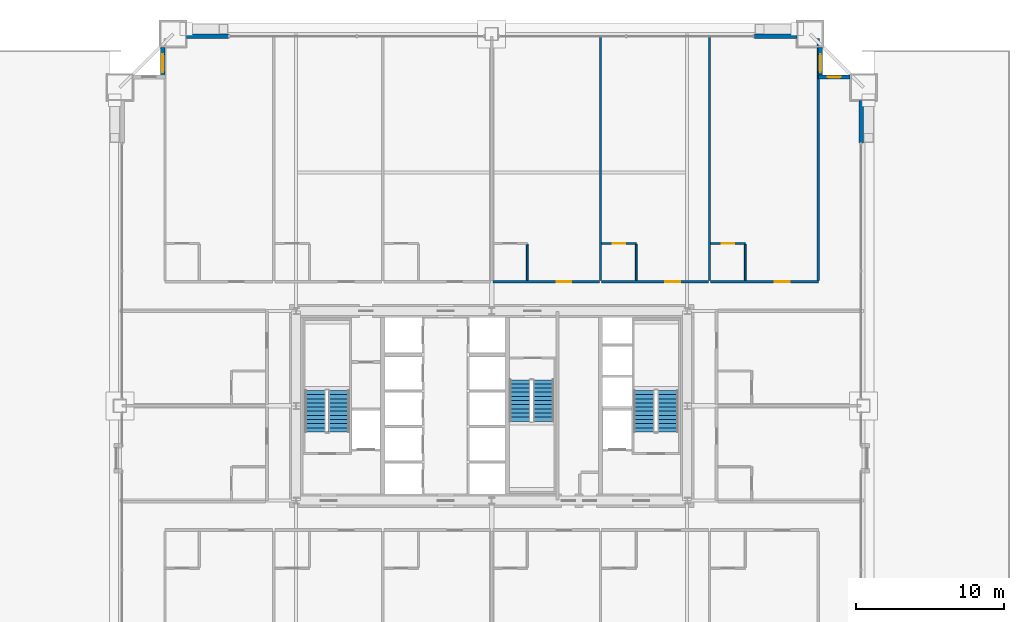
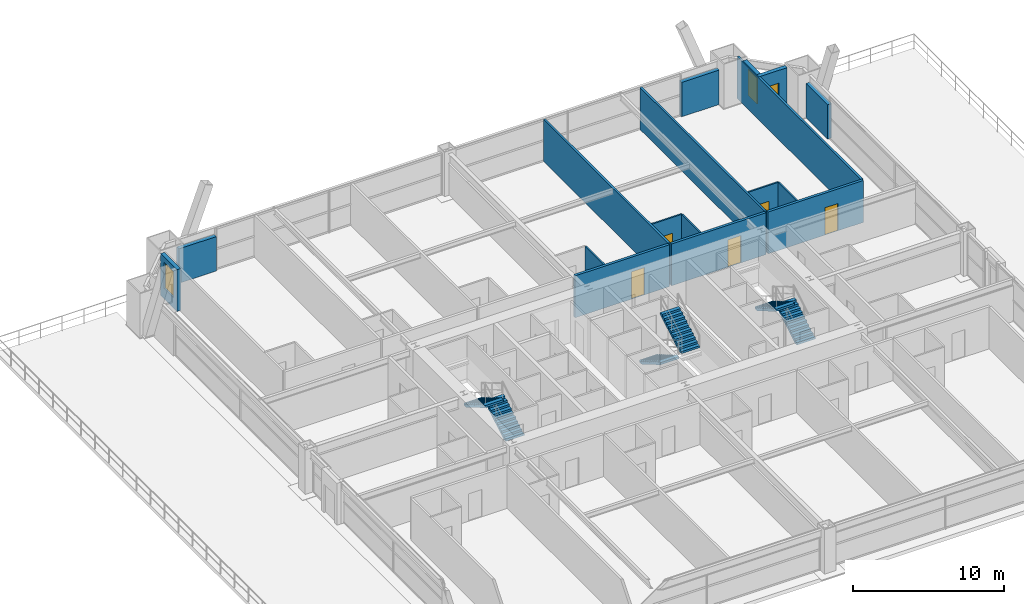
# One storey, part 42 of 45: 17 walls, 6 stair flights, 5 doors, 3 windows, 8 openings, 3 elements without a shape of their own.
"""IFC4 building model written with IfcOpenShell, lengths in metres."""

from ifc_helpers import new_model, si_unit, direction, frame, frame_2d, origin, place, context, subcontext, project, spatial, polyline, rectangle, outline, extrude, source, transform, mapped, material, layer, layer_set, type_object, element, fill, aggregate, save


model = new_model("IFC4")

# Units and contexts
model_context = context("Model", 3, precision=1e-05, world=origin(), true_north=direction((0.0, 1.0)))
body_context = subcontext(model_context, "Body", "Model", "MODEL_VIEW")
ifc_project = project(units=[si_unit("LENGTHUNIT", "METRE"), si_unit("AREAUNIT", "SQUARE_METRE"), si_unit("VOLUMEUNIT", "CUBIC_METRE"), si_unit("PLANEANGLEUNIT", "RADIAN"), si_unit("MASSUNIT", "GRAM", prefix="KILO"), si_unit("THERMODYNAMICTEMPERATUREUNIT", "KELVIN"), si_unit("POWERUNIT", "WATT")], contexts=[model_context])

# Site, building, storey
site_placement = place(None, origin())
site = spatial("IfcSite", under=ifc_project, at=site_placement, CompositionType="ELEMENT")
building_placement = place(site_placement, origin())
building = spatial("IfcBuilding", under=site, at=building_placement, Name="Yuzanri Waterfront Tower", CompositionType="ELEMENT")
storey_placement = place(building_placement, frame((0.0, 0.0, 30.60009765625)))
storey = spatial("IfcBuildingStorey", under=building, at=storey_placement, Name="L07", CompositionType="ELEMENT", Elevation=30.60009765625)

# Wall, opening, door
ifc_material_1 = material(Name="Moisture-Resistant Gypsum Stud Wall", Category="gypsum")
ifc_layer_1 = layer(ifc_material_1, 0.1201171875)
ifc_layer_set_1 = layer_set([ifc_layer_1], Name="Moisture-Resistant Gypsum Stud Wall")
wall_type_1 = type_object("IfcWallType", Name="Bathroom and Kitchen Wet Partition 120", PredefinedType="PARTITIONING", material=ifc_layer_set_1)
wall_1_placement = place(storey_placement, frame((44.43310546875, 36.760009765625, 0.0), z_axis=(0.0, 0.0, 1.0), x_axis=(1.0, 0.0, 0.0)))
wall_1 = element("IfcWall", 1, at=wall_1_placement, inside=storey, type_object=wall_type_1, Name="L07 Partition UW-L07-N5-BN", PredefinedType="PARTITIONING", context=body_context, shape_type="SweptSolid", body=[
    extrude(rectangle(XDim=2.329833984375, YDim=0.1201171875, at=frame_2d((1.1650390625, 0.0))), origin(), (0.0, 0.0, 1.0), 3.3798828125),
])
opening_1_placement = place(wall_1_placement, frame((0.739990234375, 0.0, 0.0)))
opening_1 = element("IfcOpeningElement", 2, at=opening_1_placement, cuts=wall_1, Name="Opening ID-0850", PredefinedType="OPENING", context=body_context, shape_type="SweptSolid", body=[
    extrude(rectangle(XDim=0.85009765625, YDim=2.10009765625, at=frame_2d((0.425048828125, 1.050048828125))), frame((0.0, 0.074951171875, 0.0), z_axis=(0.0, -1.0, 0.0), x_axis=(1.0, 0.0, 0.0)), (0.0, 0.0, 1.0), 0.14990234375),
])
ifc_material_2 = material(Name="Moisture-Resistant Lacquered Timber", Category="wood")
door_type_1 = type_object("IfcDoorType", Name="En-Suite Bathroom and Kitchen Swing Door 850x2100", OperationType="NOTDEFINED", PredefinedType="DOOR", material=ifc_material_2)
shared_shape_1 = source(origin(), body_context, "Body", "SweptSolid", [
    extrude(rectangle(XDim=0.85009765625, YDim=2.10009765625, at=frame_2d((0.425048828125, 1.050048828125))), frame((0.0, 0.02490234375, 0.0), z_axis=(0.0, -1.0, 0.0), x_axis=(1.0, 0.0, 0.0)), (0.0, 0.0, 1.0), 0.050048828125),
])
door_1_placement = place(opening_1_placement, origin())
door_1 = element("IfcDoor", 3, at=door_1_placement, inside=storey, type_object=door_type_1, Name="L07 Guest En-Suite Door", OperationType="SINGLE_SWING_LEFT", OverallHeight=2.10009765625, OverallWidth=0.85009765625, PredefinedType="DOOR", context=body_context, shape_type="MappedRepresentation", body=[
    mapped(shared_shape_1, transform((0.0, 0.0, 0.0), scale=1.0)),
])
fill(opening_1, door_1)

wall_2_placement = place(storey_placement, frame((51.787109375, 36.760009765625, 0.0), z_axis=(0.0, 0.0, 1.0), x_axis=(1.0, 0.0, 0.0)))
wall_2 = element("IfcWall", 4, at=wall_2_placement, inside=storey, type_object=wall_type_1, Name="L07 Partition UW-L07-N6-BN", PredefinedType="PARTITIONING", context=body_context, shape_type="SweptSolid", body=[
    extrude(rectangle(XDim=2.329833984375, YDim=0.1201171875, at=frame_2d((1.1650390625, 0.0))), origin(), (0.0, 0.0, 1.0), 3.3798828125),
])
opening_2_placement = place(wall_2_placement, frame((0.739990234375, 0.0, 0.0)))
opening_2 = element("IfcOpeningElement", 5, at=opening_2_placement, cuts=wall_2, Name="Opening ID-0850", PredefinedType="OPENING", context=body_context, shape_type="SweptSolid", body=[
    extrude(rectangle(XDim=0.85009765625, YDim=2.10009765625, at=frame_2d((0.425048828125, 1.050048828125))), frame((0.0, 0.074951171875, 0.0), z_axis=(0.0, -1.0, 0.0), x_axis=(1.0, 0.0, 0.0)), (0.0, 0.0, 1.0), 0.14990234375),
])
door_2_placement = place(opening_2_placement, origin())
door_2 = element("IfcDoor", 6, at=door_2_placement, inside=storey, type_object=door_type_1, Name="L07 Guest En-Suite Door", OperationType="SINGLE_SWING_LEFT", OverallHeight=2.10009765625, OverallWidth=0.85009765625, PredefinedType="DOOR", context=body_context, shape_type="MappedRepresentation", body=[
    mapped(shared_shape_1, transform((0.0, 0.0, 0.0), scale=1.0)),
])
fill(opening_2, door_2)

# Wall, opening, window
ifc_material_3 = material(Name="Honed Chongqing Dark Basalt Stone", Category="masonry")
ifc_layer_2 = layer(ifc_material_3, 0.300048828125)
ifc_layer_set_2 = layer_set([ifc_layer_2], Name="Honed Chongqing Dark Basalt Stone")
wall_type_2 = type_object("IfcWallType", Name="Bronze Rainscreen Insulated Spandrel Portal Wall 300", PredefinedType="SOLIDWALL", material=ifc_layer_set_2)
wall_3_placement = place(storey_placement, frame((14.800048828125, 50.0, 0.0), z_axis=(0.0, 0.0, 1.0), x_axis=(0.0, -1.0, 0.0)))
wall_3 = element("IfcWall", 7, at=wall_3_placement, inside=storey, type_object=wall_type_2, Name="L07 Notched Corner Masonry Wall NW-Y", PredefinedType="SOLIDWALL", context=body_context, shape_type="SweptSolid", body=[
    extrude(rectangle(XDim=2.14990234375, YDim=0.300048828125, at=frame_2d((1.074951171875, 0.0))), origin(), (0.0, 0.0, 1.0), 3.3798828125),
])
opening_3_placement = place(wall_3_placement, frame((0.47509765625, 0.0, 0.85009765625)))
opening_3 = element("IfcOpeningElement", 8, at=opening_3_placement, cuts=wall_3, Name="Opening WN-02", PredefinedType="OPENING", context=body_context, shape_type="SweptSolid", body=[
    extrude(rectangle(XDim=1.199951171875, YDim=2.10009765625, at=frame_2d((0.60009765625, 1.050048828125))), frame((0.0, 0.1650390625, 0.0), z_axis=(0.0, -1.0, 0.0), x_axis=(1.0, 0.0, 0.0)), (0.0, 0.0, 1.0), 0.329833984375),
])
ifc_material_4 = material(Name="Double-Silver Low-E Insulated Glass", Category="glass")
window_type_1 = type_object("IfcWindowType", Name="Anodized Bronze Notched Corner Deep-Set Slot Window 1200x2100", PartitioningType="SINGLE_PANEL", PredefinedType="WINDOW", material=ifc_material_4)
shared_shape_2 = source(origin(), body_context, "Body", "SweptSolid", [
    extrude(rectangle(XDim=1.199951171875, YDim=2.10009765625, at=frame_2d((0.60009765625, 1.050048828125))), frame((0.0, 0.030029296875, 0.0), z_axis=(0.0, -1.0, 0.0), x_axis=(1.0, 0.0, 0.0)), (0.0, 0.0, 1.0), 0.06005859375),
])
window_1_placement = place(opening_3_placement, origin())
window_1 = element("IfcWindow", 9, at=window_1_placement, inside=storey, type_object=window_type_1, Name="L07 Notched Corner Window NW-Y", OverallHeight=2.10009765625, OverallWidth=1.199951171875, PartitioningType="SINGLE_PANEL", PredefinedType="WINDOW", context=body_context, shape_type="MappedRepresentation", body=[
    mapped(shared_shape_2, transform((0.0, 0.0, 0.0), scale=1.0)),
])
fill(opening_3, window_1)

wall_4_placement = place(storey_placement, frame((61.199951171875, 48.0, 0.0), z_axis=(0.0, 0.0, 1.0), x_axis=(-1.0, 0.0, 0.0)))
wall_4 = element("IfcWall", 10, at=wall_4_placement, inside=storey, type_object=wall_type_2, Name="L07 Notched Corner Masonry Wall NE-X", PredefinedType="SOLIDWALL", context=body_context, shape_type="SweptSolid", body=[
    extrude(rectangle(XDim=2.14990234375, YDim=0.300048828125, at=frame_2d((1.074951171875, 0.0))), origin(), (0.0, 0.0, 1.0), 3.3798828125),
])
opening_4_placement = place(wall_4_placement, frame((0.625, 0.0, 0.85009765625)))
opening_4 = element("IfcOpeningElement", 11, at=opening_4_placement, cuts=wall_4, Name="Opening WN-05", PredefinedType="OPENING", context=body_context, shape_type="SweptSolid", body=[
    extrude(rectangle(XDim=0.89990234375, YDim=1.5, at=frame_2d((0.449951171875, 0.75))), frame((0.0, 0.1650390625, 0.0), z_axis=(0.0, -1.0, 0.0), x_axis=(1.0, 0.0, 0.0)), (0.0, 0.0, 1.0), 0.329833984375),
])
ifc_material_5 = material(Name="Double-Silver Low-E Insulated Glass", Category="glass")
window_type_2 = type_object("IfcWindowType", Name="Anodized Bronze Service and Stairwell Smoke-Vent Window 900x1500", PartitioningType="SINGLE_PANEL", PredefinedType="WINDOW", material=ifc_material_5)
shared_shape_3 = source(origin(), body_context, "Body", "SweptSolid", [
    extrude(rectangle(XDim=0.89990234375, YDim=1.5, at=frame_2d((0.449951171875, 0.75))), frame((0.0, 0.030029296875, 0.0), z_axis=(0.0, -1.0, 0.0), x_axis=(1.0, 0.0, 0.0)), (0.0, 0.0, 1.0), 0.06005859375),
])
window_2_placement = place(opening_4_placement, origin())
window_2 = element("IfcWindow", 12, at=window_2_placement, inside=storey, type_object=window_type_2, Name="L07 Notched Corner Window NE-X", OverallHeight=1.5, OverallWidth=0.89990234375, PartitioningType="SINGLE_PANEL", PredefinedType="WINDOW", context=body_context, shape_type="MappedRepresentation", body=[
    mapped(shared_shape_3, transform((0.0, 0.0, 0.0), scale=1.0)),
])
fill(opening_4, window_2)

wall_5_placement = place(storey_placement, frame((59.199951171875, 47.85009765625, 0.0), z_axis=(0.0, 0.0, 1.0), x_axis=(0.0, 1.0, 0.0)))
wall_5 = element("IfcWall", 13, at=wall_5_placement, inside=storey, type_object=wall_type_2, Name="L07 Notched Corner Masonry Wall NE-Y", PredefinedType="SOLIDWALL", context=body_context, shape_type="SweptSolid", body=[
    extrude(rectangle(XDim=2.14990234375, YDim=0.300048828125, at=frame_2d((1.074951171875, 0.0))), origin(), (0.0, 0.0, 1.0), 3.3798828125),
])
opening_5_placement = place(wall_5_placement, frame((0.47509765625, 0.0, 0.85009765625)))
opening_5 = element("IfcOpeningElement", 14, at=opening_5_placement, cuts=wall_5, Name="Opening WN-02", PredefinedType="OPENING", context=body_context, shape_type="SweptSolid", body=[
    extrude(rectangle(XDim=1.199951171875, YDim=2.10009765625, at=frame_2d((0.60009765625, 1.050048828125))), frame((0.0, 0.1650390625, 0.0), z_axis=(0.0, -1.0, 0.0), x_axis=(1.0, 0.0, 0.0)), (0.0, 0.0, 1.0), 0.329833984375),
])
window_3_placement = place(opening_5_placement, origin())
window_3 = element("IfcWindow", 15, at=window_3_placement, inside=storey, type_object=window_type_1, Name="L07 Notched Corner Window NE-Y", OverallHeight=2.10009765625, OverallWidth=1.199951171875, PartitioningType="SINGLE_PANEL", PredefinedType="WINDOW", context=body_context, shape_type="MappedRepresentation", body=[
    mapped(shared_shape_2, transform((0.0, 0.0, 0.0), scale=1.0)),
])
fill(opening_5, window_3)

# Wall, opening, door
ifc_material_6 = material(Name="Autoclaved Aerated Concrete Blockwork", Category="masonry")
ifc_layer_3 = layer(ifc_material_6, 0.199951171875)
ifc_layer_set_3 = layer_set([ifc_layer_3], Name="Autoclaved Aerated Concrete Blockwork")
wall_type_3 = type_object("IfcWallType", Name="Corridor and Unit Party Fire Wall 200", PredefinedType="PARTITIONING", material=ifc_layer_set_3)
wall_6_placement = place(storey_placement, frame((37.080078125, 34.179931640625, 0.0), z_axis=(0.0, 0.0, 1.0), x_axis=(1.0, 0.0, 0.0)))
wall_6 = element("IfcWall", 16, at=wall_6_placement, inside=storey, type_object=wall_type_3, Name="L07 Partition UW-L07-N4-CS", PredefinedType="PARTITIONING", context=body_context, shape_type="SweptSolid", body=[
    extrude(rectangle(XDim=7.19287109375, YDim=0.199951171875, at=frame_2d((3.596435546875, 0.0))), origin(), (0.0, 0.0, 1.0), 3.3798828125),
])
opening_6_placement = place(wall_6_placement, frame((4.302001953125, 0.0, 0.0)))
opening_6 = element("IfcOpeningElement", 17, at=opening_6_placement, cuts=wall_6, Name="Opening FD-1000", PredefinedType="OPENING", context=body_context, shape_type="SweptSolid", body=[
    extrude(rectangle(XDim=1.0, YDim=2.199951171875, at=frame_2d((0.5, 1.10009765625))), frame((0.0, 0.11474609375, 0.0), z_axis=(0.0, -1.0, 0.0), x_axis=(1.0, 0.0, 0.0)), (0.0, 0.0, 1.0), 0.229736328125),
])
ifc_material_7 = material(Name="Engineered Oak Fire-Rated Timber", Category="wood")
door_type_2 = type_object("IfcDoorType", Name="Guestroom and Apartment Entrance Fire Door 1000x2200", OperationType="NOTDEFINED", PredefinedType="DOOR", material=ifc_material_7)
shared_shape_4 = source(origin(), body_context, "Body", "SweptSolid", [
    extrude(rectangle(XDim=1.0, YDim=2.199951171875, at=frame_2d((0.5, 1.10009765625))), frame((0.0, 0.02490234375, 0.0), z_axis=(0.0, -1.0, 0.0), x_axis=(1.0, 0.0, 0.0)), (0.0, 0.0, 1.0), 0.050048828125),
])
door_3_placement = place(opening_6_placement, origin())
door_3 = element("IfcDoor", 18, at=door_3_placement, inside=storey, type_object=door_type_2, Name="L07 Deluxe Cityview Junior Suite Entrance Door", OperationType="SINGLE_SWING_RIGHT", OverallHeight=2.199951171875, OverallWidth=1.0, PredefinedType="DOOR", context=body_context, shape_type="MappedRepresentation", body=[
    mapped(shared_shape_4, transform((0.0, 0.0, 0.0), scale=1.0)),
])
fill(opening_6, door_3)

wall_7_placement = place(storey_placement, frame((44.43310546875, 34.179931640625, 0.0), z_axis=(0.0, 0.0, 1.0), x_axis=(1.0, 0.0, 0.0)))
wall_7 = element("IfcWall", 19, at=wall_7_placement, inside=storey, type_object=wall_type_3, Name="L07 Partition UW-L07-N5-CS", PredefinedType="PARTITIONING", context=body_context, shape_type="SweptSolid", body=[
    extrude(rectangle(XDim=7.19384765625, YDim=0.199951171875, at=frame_2d((3.596923828125, 0.0))), origin(), (0.0, 0.0, 1.0), 3.3798828125),
])
opening_7_placement = place(wall_7_placement, frame((4.302001953125, 0.0, 0.0)))
opening_7 = element("IfcOpeningElement", 20, at=opening_7_placement, cuts=wall_7, Name="Opening FD-1000", PredefinedType="OPENING", context=body_context, shape_type="SweptSolid", body=[
    extrude(rectangle(XDim=1.0, YDim=2.199951171875, at=frame_2d((0.5, 1.10009765625))), frame((0.0, 0.11474609375, 0.0), z_axis=(0.0, -1.0, 0.0), x_axis=(1.0, 0.0, 0.0)), (0.0, 0.0, 1.0), 0.229736328125),
])
door_4_placement = place(opening_7_placement, origin())
door_4 = element("IfcDoor", 21, at=door_4_placement, inside=storey, type_object=door_type_2, Name="L07 Deluxe Cityview Junior Suite Entrance Door", OperationType="SINGLE_SWING_RIGHT", OverallHeight=2.199951171875, OverallWidth=1.0, PredefinedType="DOOR", context=body_context, shape_type="MappedRepresentation", body=[
    mapped(shared_shape_4, transform((0.0, 0.0, 0.0), scale=1.0)),
])
fill(opening_7, door_4)

wall_8_placement = place(storey_placement, frame((51.787109375, 34.179931640625, 0.0), z_axis=(0.0, 0.0, 1.0), x_axis=(1.0, 0.0, 0.0)))
wall_8 = element("IfcWall", 22, at=wall_8_placement, inside=storey, type_object=wall_type_3, Name="L07 Partition UW-L07-N6-CS", PredefinedType="PARTITIONING", context=body_context, shape_type="SweptSolid", body=[
    extrude(rectangle(XDim=7.27294921875, YDim=0.199951171875, at=frame_2d((3.636474609375, 0.0))), origin(), (0.0, 0.0, 1.0), 3.3798828125),
])
opening_8_placement = place(wall_8_placement, frame((4.342041015625, 0.0, 0.0)))
opening_8 = element("IfcOpeningElement", 23, at=opening_8_placement, cuts=wall_8, Name="Opening FD-1000", PredefinedType="OPENING", context=body_context, shape_type="SweptSolid", body=[
    extrude(rectangle(XDim=1.0, YDim=2.199951171875, at=frame_2d((0.5, 1.10009765625))), frame((0.0, 0.11474609375, 0.0), z_axis=(0.0, -1.0, 0.0), x_axis=(1.0, 0.0, 0.0)), (0.0, 0.0, 1.0), 0.229736328125),
])
door_5_placement = place(opening_8_placement, origin())
door_5 = element("IfcDoor", 24, at=door_5_placement, inside=storey, type_object=door_type_2, Name="L07 Deluxe Cityview Junior Suite Entrance Door", OperationType="SINGLE_SWING_RIGHT", OverallHeight=2.199951171875, OverallWidth=1.0, PredefinedType="DOOR", context=body_context, shape_type="MappedRepresentation", body=[
    mapped(shared_shape_4, transform((0.0, 0.0, 0.0), scale=1.0)),
])
fill(opening_8, door_5)

# Walls
shared_shape_5 = source(origin(), body_context, "Body", "SweptSolid", [
    extrude(rectangle(XDim=2.85009765625, YDim=0.300048828125, at=frame_2d((1.425048828125, 0.0))), origin(), (0.0, 0.0, 1.0), 2.77490234375),
])
for number, where, z_axis, x_axis, name in (
    (25, (16.39990234375, 50.75, 0.0), (0.0, 0.0, 1.0), (1.0, 0.0, 0.0), "L07 N Left Braced Masonry Shoulder"),
    (26, (54.75, 50.75, 0.0), (0.0, 0.0, 1.0), (1.0, 0.0, 0.0), "L07 N Right Braced Masonry Shoulder"),
):
    element("IfcWall", number, at=place(storey_placement, frame(where, z_axis=z_axis, x_axis=x_axis)), inside=storey, type_object=wall_type_2, Name=name, PredefinedType="SOLIDWALL", context=body_context, shape_type="MappedRepresentation", body=[
        mapped(shared_shape_5, transform((0.0, 0.0, 0.0), scale=1.0)),
    ])
shared_shape_6 = source(origin(), body_context, "Body", "SweptSolid", [
    extrude(rectangle(XDim=2.849853515625, YDim=0.300048828125, at=frame_2d((1.4248046875, 0.0))), origin(), (0.0, 0.0, 1.0), 2.77490234375),
])
wall_9_placement = place(storey_placement, frame((61.949951171875, 43.550048828125, 0.0), z_axis=(0.0, 0.0, 1.0), x_axis=(0.0, 1.0, 0.0)))
element("IfcWall", 27, at=wall_9_placement, inside=storey, type_object=wall_type_2, Name="L07 E Right Braced Masonry Shoulder", PredefinedType="SOLIDWALL", context=body_context, shape_type="MappedRepresentation", body=[
    mapped(shared_shape_6, transform((0.0, 0.0, 0.0), scale=1.0)),
])
ifc_material_8 = material(Name="Gypsum Fireboard Acoustic Stud Wall", Category="gypsum")
ifc_layer_4 = layer(ifc_material_8, 0.159912109375)
ifc_layer_set_4 = layer_set([ifc_layer_4], Name="Gypsum Fireboard Acoustic Stud Wall")
wall_type_4 = type_object("IfcWallType", Name="Acoustic Suite Demising Partition 160", PredefinedType="PARTITIONING", material=ifc_layer_set_4)
shared_shape_7 = source(origin(), body_context, "Body", "SweptSolid", [
    extrude(rectangle(XDim=16.469970703125, YDim=0.159912109375, at=frame_2d((8.23486328125, 0.0))), origin(), (0.0, 0.0, 1.0), 3.3798828125),
])
for number, where, z_axis, x_axis, name in (
    (28, (44.35302734375, 34.280029296875, 0.0), (0.0, 0.0, 1.0), (0.0, 1.0, 0.0), "L07-N4 Party Wall"),
    (29, (51.70703125, 34.280029296875, 0.0), (0.0, 0.0, 1.0), (0.0, 1.0, 0.0), "L07-N5 Party Wall"),
):
    element("IfcWall", number, at=place(storey_placement, frame(where, z_axis=z_axis, x_axis=x_axis)), inside=storey, type_object=wall_type_4, Name=name, PredefinedType="PARTITIONING", context=body_context, shape_type="MappedRepresentation", body=[
        mapped(shared_shape_7, transform((0.0, 0.0, 0.0), scale=1.0)),
    ])
shared_shape_8 = source(origin(), body_context, "Body", "SweptSolid", [
    extrude(rectangle(XDim=16.320068359375, YDim=0.159912109375, at=frame_2d((8.16015625, 0.0))), origin(), (0.0, 0.0, 1.0), 3.3798828125),
])
wall_10_placement = place(storey_placement, frame((59.050048828125, 34.280029296875, 0.0), z_axis=(0.0, 0.0, 1.0), x_axis=(0.0, 1.0, 0.0)))
element("IfcWall", 30, at=wall_10_placement, inside=storey, type_object=wall_type_4, Name="L07 North Band East End Wall", PredefinedType="PARTITIONING", context=body_context, shape_type="MappedRepresentation", body=[
    mapped(shared_shape_8, transform((0.0, 0.0, 0.0), scale=1.0)),
])
shared_shape_9 = source(origin(), body_context, "Body", "SweptSolid", [
    extrude(rectangle(XDim=2.419921875, YDim=0.1201171875, at=frame_2d((1.2099609375, 0.0))), origin(), (0.0, 0.0, 1.0), 3.3798828125),
])
for number, where, z_axis, x_axis, name in (
    (31, (39.409912109375, 34.280029296875, 0.0), (0.0, 0.0, 1.0), (0.0, 1.0, 0.0), "L07-N4 En-Suite Side Wall"),
    (32, (46.762939453125, 34.280029296875, 0.0), (0.0, 0.0, 1.0), (0.0, 1.0, 0.0), "L07-N5 En-Suite Side Wall"),
    (33, (54.116943359375, 34.280029296875, 0.0), (0.0, 0.0, 1.0), (0.0, 1.0, 0.0), "L07-N6 En-Suite Side Wall"),
):
    element("IfcWall", number, at=place(storey_placement, frame(where, z_axis=z_axis, x_axis=x_axis)), inside=storey, type_object=wall_type_1, Name=name, PredefinedType="PARTITIONING", context=body_context, shape_type="MappedRepresentation", body=[
        mapped(shared_shape_9, transform((0.0, 0.0, 0.0), scale=1.0)),
    ])

# Stair, stair flights
ifc_material_9 = material(Name="Concrete C40", Category="concrete")
stair_type = type_object("IfcStairType", Name="Concrete C40 Core Dogleg Exit Stair", PredefinedType="HALF_TURN_STAIR", material=ifc_material_9)
stair_1_placement = place(storey_placement, origin())
stair_1 = element("IfcStair", 34, at=stair_1_placement, inside=storey, type_object=stair_type, Name="L07 Smoke-Proof Core Stair ST-01", PredefinedType="HALF_TURN_STAIR")
ifc_material_10 = material(Name="Concrete C40", Category="concrete")
stair_flight_type = type_object("IfcStairFlightType", Name="Concrete C40 Precast Stair Flight 1380", PredefinedType="STRAIGHT", material=ifc_material_10)
shared_shape_10 = source(origin(), body_context, "Body", "SweptSolid", [
    extrude(outline(polyline([(0.0, 0.0), (0.0, 0.16357421875), (0.280029296875, 0.16357421875), (0.280029296875, 0.327392578125), (0.56005859375, 0.327392578125), (0.56005859375, 0.490966796875), (0.840087890625, 0.490966796875), (0.840087890625, 0.654541015625), (1.1201171875, 0.654541015625), (1.1201171875, 0.818115234375), (1.39990234375, 0.818115234375), (1.39990234375, 0.98193359375), (1.679931640625, 0.98193359375), (1.679931640625, 1.1455078125), (1.9599609375, 1.1455078125), (1.9599609375, 1.30908203125), (2.239990234375, 1.30908203125), (2.239990234375, 1.47265625), (2.52001953125, 1.47265625), (2.52001953125, 1.636474609375), (2.800048828125, 1.636474609375), (2.800048828125, 1.800048828125), (2.800048828125, 1.462646484375), (0.297119140625, 0.0), (0.0, 0.0)])), frame((0.0, 0.699951171875, 0.0), z_axis=(0.0, -1.0, 0.0), x_axis=(1.0, 0.0, 0.0)), (0.0, 0.0, 1.0), 1.39990234375),
])
stair_flight_1_placement = place(storey_placement, frame((26.699951171875, 24.0400390625, 0.0), z_axis=(0.0, 0.0, 1.0), x_axis=(0.0, 1.0, 0.0)))
stair_flight_1 = element("IfcStairFlight", 35, at=stair_flight_1_placement, type_object=stair_flight_type, Name="ST-01 flight 1", NumberOfRisers=11, NumberOfTreads=10, PredefinedType="STRAIGHT", RiserHeight=0.163636364, TreadLength=0.28, context=body_context, shape_type="MappedRepresentation", body=[
    mapped(shared_shape_10, transform((0.0, 0.0, 0.0), scale=1.0)),
])
stair_flight_2_placement = place(storey_placement, frame((25.10009765625, 26.840087890625, 1.7998046875), z_axis=(0.0, 0.0, 1.0), x_axis=(0.0, -1.0, 0.0)))
stair_flight_2 = element("IfcStairFlight", 36, at=stair_flight_2_placement, type_object=stair_flight_type, Name="ST-01 flight 2", NumberOfRisers=11, NumberOfTreads=10, PredefinedType="STRAIGHT", RiserHeight=0.163636364, TreadLength=0.28, context=body_context, shape_type="MappedRepresentation", body=[
    mapped(shared_shape_10, transform((0.0, 0.0, 0.0), scale=1.0)),
])
aggregate(stair_1, [stair_flight_1, stair_flight_2])

stair_2_placement = place(storey_placement, origin())
stair_2 = element("IfcStair", 37, at=stair_2_placement, inside=storey, type_object=stair_type, Name="L07 Smoke-Proof Core Stair ST-02", PredefinedType="HALF_TURN_STAIR")
stair_flight_3_placement = place(storey_placement, frame((48.89990234375, 24.0400390625, 0.0), z_axis=(0.0, 0.0, 1.0), x_axis=(0.0, 1.0, 0.0)))
stair_flight_3 = element("IfcStairFlight", 38, at=stair_flight_3_placement, type_object=stair_flight_type, Name="ST-02 flight 1", NumberOfRisers=11, NumberOfTreads=10, PredefinedType="STRAIGHT", RiserHeight=0.163636364, TreadLength=0.28, context=body_context, shape_type="MappedRepresentation", body=[
    mapped(shared_shape_10, transform((0.0, 0.0, 0.0), scale=1.0)),
])
stair_flight_4_placement = place(storey_placement, frame((47.300048828125, 26.840087890625, 1.7998046875), z_axis=(0.0, 0.0, 1.0), x_axis=(0.0, -1.0, 0.0)))
stair_flight_4 = element("IfcStairFlight", 39, at=stair_flight_4_placement, type_object=stair_flight_type, Name="ST-02 flight 2", NumberOfRisers=11, NumberOfTreads=10, PredefinedType="STRAIGHT", RiserHeight=0.163636364, TreadLength=0.28, context=body_context, shape_type="MappedRepresentation", body=[
    mapped(shared_shape_10, transform((0.0, 0.0, 0.0), scale=1.0)),
])
aggregate(stair_2, [stair_flight_3, stair_flight_4])

stair_3_placement = place(storey_placement, origin())
stair_3 = element("IfcStair", 40, at=stair_3_placement, inside=storey, type_object=stair_type, Name="L07 Smoke-Proof Core Stair ST-03", PredefinedType="HALF_TURN_STAIR")
stair_flight_5_placement = place(storey_placement, frame((38.89990234375, 27.56005859375, 0.0), z_axis=(0.0, 0.0, 1.0), x_axis=(0.0, -1.0, 0.0)))
stair_flight_5 = element("IfcStairFlight", 41, at=stair_flight_5_placement, type_object=stair_flight_type, Name="ST-03 flight 1", NumberOfRisers=11, NumberOfTreads=10, PredefinedType="STRAIGHT", RiserHeight=0.163636364, TreadLength=0.28, context=body_context, shape_type="MappedRepresentation", body=[
    mapped(shared_shape_10, transform((0.0, 0.0, 0.0), scale=1.0)),
])
stair_flight_6_placement = place(storey_placement, frame((40.5, 24.760009765625, 1.7998046875), z_axis=(0.0, 0.0, 1.0), x_axis=(0.0, 1.0, 0.0)))
stair_flight_6 = element("IfcStairFlight", 42, at=stair_flight_6_placement, type_object=stair_flight_type, Name="ST-03 flight 2", NumberOfRisers=11, NumberOfTreads=10, PredefinedType="STRAIGHT", RiserHeight=0.163636364, TreadLength=0.28, context=body_context, shape_type="MappedRepresentation", body=[
    mapped(shared_shape_10, transform((0.0, 0.0, 0.0), scale=1.0)),
])
aggregate(stair_3, [stair_flight_5, stair_flight_6])

save(model, "model.ifc")
